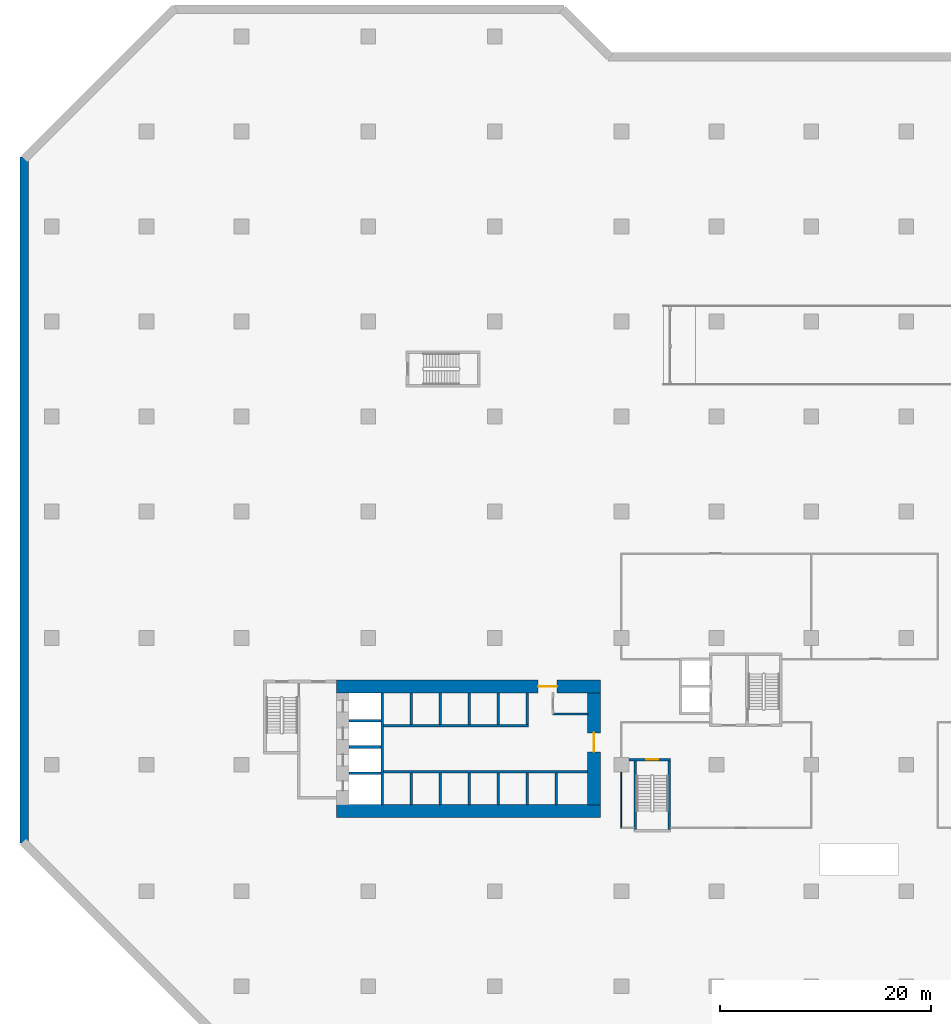
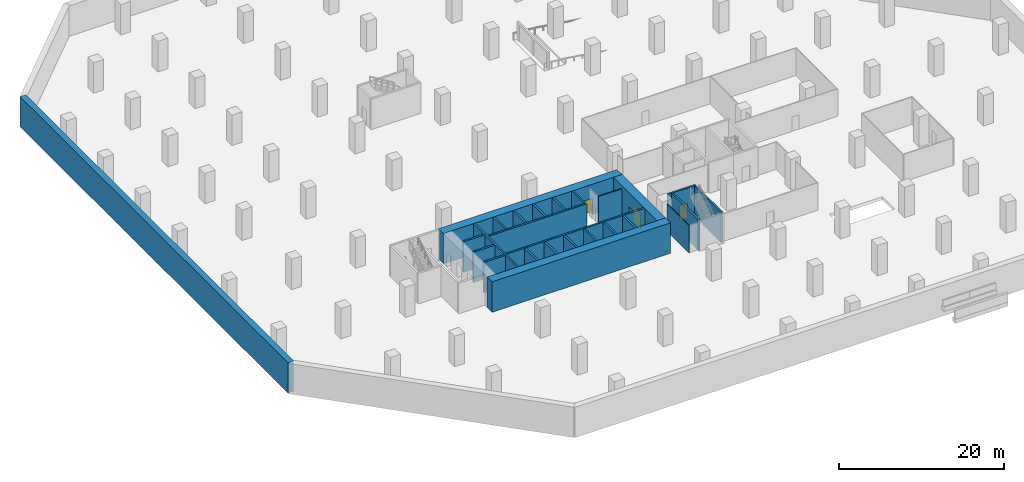
# One storey, part 3 of 9: 26 walls, 3 doors, 3 openings.
"""IFC4 building model written with IfcOpenShell, lengths in metres."""

from ifc_helpers import new_model, si_unit, direction, frame, frame_2d, origin, place, context, subcontext, project, spatial, rectangle, extrude, material, layer, layer_set, type_object, element, fill, save


model = new_model("IFC4")

# Units and contexts
model_context = context("Model", 3, precision=1e-05, world=origin(), true_north=direction((0.0, 1.0)))
body_context = subcontext(model_context, "Body", "Model", "MODEL_VIEW")
ifc_project = project(units=[si_unit("LENGTHUNIT", "METRE"), si_unit("AREAUNIT", "SQUARE_METRE"), si_unit("VOLUMEUNIT", "CUBIC_METRE"), si_unit("PLANEANGLEUNIT", "RADIAN"), si_unit("MASSUNIT", "GRAM", prefix="KILO")], contexts=[model_context])

# Site, building, storey
site_placement = place(None, origin())
site = spatial("IfcSite", under=ifc_project, at=site_placement, CompositionType="ELEMENT")
building_placement = place(site_placement, origin())
building = spatial("IfcBuilding", under=site, at=building_placement, Name="Chenar Terraces", CompositionType="ELEMENT")
storey_placement = place(building_placement, frame((0.0, 0.0, -4.5)))
storey = spatial("IfcBuildingStorey", under=building, at=storey_placement, Name="B1", CompositionType="ELEMENT", Elevation=-4.5)

# Walls
ifc_material_1 = material(Name="Gypsum board on steel studs", Category="steel")
ifc_layer_1 = layer(ifc_material_1, 0.14990234375)
ifc_layer_set_1 = layer_set([ifc_layer_1], Name="Gypsum board on steel studs")
wall_type_1 = type_object("IfcWallType", Name="Core partition 150 gypsum board", PredefinedType="PARTITIONING", material=ifc_layer_set_1)
wall_1_placement = place(storey_placement, frame((29.5, 16.800048828125, 0.0), z_axis=(0.0, 0.0, 1.0), x_axis=(1.0, 0.0, 0.0)))
element("IfcWall", 1, at=wall_1_placement, inside=storey, type_object=wall_type_1, Name="Core partition CP1 vestibule room south wall", PredefinedType="PARTITIONING", context=body_context, shape_type="SweptSolid", body=[
    extrude(rectangle(XDim=3.300048828125, YDim=0.14990234375, at=frame_2d((1.64990234375, 0.0))), origin(), (0.0, 0.0, 1.0), 4.050048828125),
])
ifc_material_2 = material(Name="Concrete C70/85", Category="concrete")
ifc_layer_2 = layer(ifc_material_2, 1.199951171875)
ifc_layer_set_2 = layer_set([ifc_layer_2], Name="Concrete C70/85")
wall_type_2 = type_object("IfcWallType", Name="Core wall 1200 Concrete C70/85", PredefinedType="SHEAR", material=ifc_layer_set_2)
wall_2_placement = place(storey_placement, frame((9.0, 7.60009765625, 0.0), z_axis=(0.0, 0.0, 1.0), x_axis=(1.0, 0.0, 0.0)))
element("IfcWall", 2, at=wall_2_placement, inside=storey, type_object=wall_type_2, Name="Core wall S B1", PredefinedType="SHEAR", context=body_context, shape_type="SweptSolid", body=[
    extrude(rectangle(XDim=25.0, YDim=1.199951171875, at=frame_2d((12.5, 0.0))), origin(), (0.0, 0.0, 1.0), 4.5),
])

# Wall, opening, door
wall_3_placement = place(storey_placement, frame((9.0, 19.39990234375, 0.0), z_axis=(0.0, 0.0, 1.0), x_axis=(1.0, 0.0, 0.0)))
wall_3 = element("IfcWall", 3, at=wall_3_placement, inside=storey, type_object=wall_type_2, Name="Core wall N B1", PredefinedType="SHEAR", context=body_context, shape_type="SweptSolid", body=[
    extrude(rectangle(XDim=25.0, YDim=1.199951171875, at=frame_2d((12.5, 0.0))), origin(), (0.0, 0.0, 1.0), 4.5),
])
opening_1_placement = place(wall_3_placement, frame((19.10009765625, 0.0, 0.0)))
opening_1 = element("IfcOpeningElement", 4, at=opening_1_placement, cuts=wall_3, Name="Opening DB1-C2", PredefinedType="OPENING", context=body_context, shape_type="SweptSolid", body=[
    extrude(rectangle(XDim=1.800048828125, YDim=2.39990234375, at=frame_2d((0.89990234375, 1.199951171875))), frame((0.0, 0.60986328125, 0.0), z_axis=(0.0, -1.0, 0.0), x_axis=(1.0, 0.0, 0.0)), (0.0, 0.0, 1.0), 1.219970703125),
])
ifc_material_3 = material(Name="Steel-framed fire-resisting door leaf", Category="steel")
door_type_1 = type_object("IfcDoorType", Name="Core entrance double fire door FD60 1800 x 2400", OperationType="DOUBLE_DOOR_SINGLE_SWING", PredefinedType="DOOR", material=ifc_material_3)
door_1_placement = place(opening_1_placement, origin())
door_1 = element("IfcDoor", 5, at=door_1_placement, inside=storey, type_object=door_type_1, Name="Core door DB1-C2", OperationType="DOUBLE_DOOR_SINGLE_SWING", OverallHeight=2.39990234375, OverallWidth=1.800048828125, PredefinedType="DOOR", context=body_context, shape_type="SweptSolid", body=[
    extrude(rectangle(XDim=1.800048828125, YDim=2.39990234375, at=frame_2d((0.89990234375, 1.199951171875))), frame((0.0, 0.02490234375, 0.0), z_axis=(0.0, -1.0, 0.0), x_axis=(1.0, 0.0, 0.0)), (0.0, 0.0, 1.0), 0.050048828125),
])
fill(opening_1, door_1)

wall_4_placement = place(storey_placement, frame((33.39990234375, 8.199951171875, 0.0), z_axis=(0.0, 0.0, 1.0), x_axis=(0.0, 1.0, 0.0)))
wall_4 = element("IfcWall", 6, at=wall_4_placement, inside=storey, type_object=wall_type_2, Name="Core wall E B1", PredefinedType="SHEAR", context=body_context, shape_type="SweptSolid", body=[
    extrude(rectangle(XDim=10.60009765625, YDim=1.199951171875, at=frame_2d((5.300048828125, 0.0))), origin(), (0.0, 0.0, 1.0), 4.5),
])
opening_2_placement = place(wall_4_placement, frame((5.0, 0.0, 0.0)))
opening_2 = element("IfcOpeningElement", 7, at=opening_2_placement, cuts=wall_4, Name="Opening DB1-C1", PredefinedType="OPENING", context=body_context, shape_type="SweptSolid", body=[
    extrude(rectangle(XDim=1.800048828125, YDim=2.39990234375, at=frame_2d((0.89990234375, 1.199951171875))), frame((0.0, 0.60986328125, 0.0), z_axis=(0.0, -1.0, 0.0), x_axis=(1.0, 0.0, 0.0)), (0.0, 0.0, 1.0), 1.219970703125),
])
door_2_placement = place(opening_2_placement, frame((1.800048828125, 0.0, 0.0), z_axis=(0.0, 0.0, 1.0), x_axis=(-1.0, 0.0, 0.0)))
door_2 = element("IfcDoor", 8, at=door_2_placement, inside=storey, type_object=door_type_1, Name="Core door DB1-C1", OperationType="DOUBLE_DOOR_SINGLE_SWING", OverallHeight=2.39990234375, OverallWidth=1.800048828125, PredefinedType="DOOR", context=body_context, shape_type="SweptSolid", body=[
    extrude(rectangle(XDim=1.800048828125, YDim=2.39990234375, at=frame_2d((0.89990234375, 1.199951171875))), frame((0.0, 0.02490234375, 0.0), z_axis=(0.0, -1.0, 0.0), x_axis=(1.0, 0.0, 0.0)), (0.0, 0.0, 1.0), 0.050048828125),
])
fill(opening_2, door_2)

# Walls
ifc_material_4 = material(Name="Concrete C70/85", Category="concrete")
ifc_layer_3 = layer(ifc_material_4, 0.25)
ifc_layer_set_3 = layer_set([ifc_layer_3], Name="Concrete C70/85")
wall_type_3 = type_object("IfcWallType", Name="Core wall 250 Concrete C70/85", PredefinedType="SHEAR", material=ifc_layer_set_3)
wall_5_placement = place(storey_placement, frame((13.324951171875, 8.199951171875, 0.0), z_axis=(0.0, 0.0, 1.0), x_axis=(0.0, 1.0, 0.0)))
element("IfcWall", 9, at=wall_5_placement, inside=storey, type_object=wall_type_3, Name="Core wall WI B1", PredefinedType="SHEAR", context=body_context, shape_type="SweptSolid", body=[
    extrude(rectangle(XDim=10.60009765625, YDim=0.25, at=frame_2d((5.300048828125, 0.0))), origin(), (0.0, 0.0, 1.0), 4.5),
])
wall_6_placement = place(storey_placement, frame((13.449951171875, 11.324951171875, 0.0), z_axis=(0.0, 0.0, 1.0), x_axis=(1.0, 0.0, 0.0)))
element("IfcWall", 10, at=wall_6_placement, inside=storey, type_object=wall_type_3, Name="Core wall SF B1", PredefinedType="SHEAR", context=body_context, shape_type="SweptSolid", body=[
    extrude(rectangle(XDim=19.35009765625, YDim=0.25, at=frame_2d((9.675048828125, 0.0))), origin(), (0.0, 0.0, 1.0), 4.5),
])
wall_7_placement = place(storey_placement, frame((13.449951171875, 15.675048828125, 0.0), z_axis=(0.0, 0.0, 1.0), x_axis=(1.0, 0.0, 0.0)))
element("IfcWall", 11, at=wall_7_placement, inside=storey, type_object=wall_type_3, Name="Core wall NF B1", PredefinedType="SHEAR", context=body_context, shape_type="SweptSolid", body=[
    extrude(rectangle(XDim=13.75, YDim=0.25, at=frame_2d((6.875, 0.0))), origin(), (0.0, 0.0, 1.0), 4.5),
])
for number, where, z_axis, x_axis, name in (
    (12, (10.199951171875, 11.175048828125, 0.0), (0.0, 0.0, 1.0), (1.0, 0.0, 0.0), "Core wall HW0 B1"),
    (13, (10.199951171875, 13.675048828125, 0.0), (0.0, 0.0, 1.0), (1.0, 0.0, 0.0), "Core wall HW1 B1"),
    (14, (10.199951171875, 16.175048828125, 0.0), (0.0, 0.0, 1.0), (1.0, 0.0, 0.0), "Core wall HW2 B1"),
    (15, (16.074951171875, 8.199951171875, 0.0), (0.0, 0.0, 1.0), (0.0, 1.0, 0.0), "Core wall SS0 B1"),
    (16, (18.824951171875, 8.199951171875, 0.0), (0.0, 0.0, 1.0), (0.0, 1.0, 0.0), "Core wall SS1 B1"),
    (17, (21.574951171875, 8.199951171875, 0.0), (0.0, 0.0, 1.0), (0.0, 1.0, 0.0), "Core wall SS2 B1"),
    (18, (24.324951171875, 8.199951171875, 0.0), (0.0, 0.0, 1.0), (0.0, 1.0, 0.0), "Core wall SS3 B1"),
    (19, (27.074951171875, 8.199951171875, 0.0), (0.0, 0.0, 1.0), (0.0, 1.0, 0.0), "Core wall SS4 B1"),
    (20, (29.824951171875, 8.199951171875, 0.0), (0.0, 0.0, 1.0), (0.0, 1.0, 0.0), "Core wall SS5 B1"),
    (21, (16.074951171875, 15.800048828125, 0.0), (0.0, 0.0, 1.0), (0.0, 1.0, 0.0), "Core wall NS0 B1"),
    (22, (18.824951171875, 15.800048828125, 0.0), (0.0, 0.0, 1.0), (0.0, 1.0, 0.0), "Core wall NS1 B1"),
    (23, (21.574951171875, 15.800048828125, 0.0), (0.0, 0.0, 1.0), (0.0, 1.0, 0.0), "Core wall NS2 B1"),
    (24, (24.324951171875, 15.800048828125, 0.0), (0.0, 0.0, 1.0), (0.0, 1.0, 0.0), "Core wall NS3 B1"),
    (25, (27.074951171875, 15.800048828125, 0.0), (0.0, 0.0, 1.0), (0.0, 1.0, 0.0), "Core wall NE B1"),
):
    element("IfcWall", number, at=place(storey_placement, frame(where, z_axis=z_axis, x_axis=x_axis)), inside=storey, type_object=wall_type_3, Name=name, PredefinedType="SHEAR", context=body_context, shape_type="SweptSolid", body=[
        extrude(rectangle(XDim=3.0, YDim=0.25, at=frame_2d((1.5, 0.0))), origin(), (0.0, 0.0, 1.0), 4.5),
    ])

# Wall, opening, door
wall_8_placement = place(storey_placement, frame((36.699951171875, 12.47509765625, 0.0), z_axis=(0.0, 0.0, 1.0), x_axis=(1.0, 0.0, 0.0)))
wall_8 = element("IfcWall", 26, at=wall_8_placement, inside=storey, type_object=wall_type_3, Name="Core wall ST2_N B1", PredefinedType="SHEAR", context=body_context, shape_type="SweptSolid", body=[
    extrude(rectangle(XDim=3.949951171875, YDim=0.25, at=frame_2d((1.97509765625, 0.0))), origin(), (0.0, 0.0, 1.0), 4.5),
])
opening_3_placement = place(wall_8_placement, frame((1.675048828125, 0.0, 0.0)))
opening_3 = element("IfcOpeningElement", 27, at=opening_3_placement, cuts=wall_8, Name="Opening DB1-C7", PredefinedType="OPENING", context=body_context, shape_type="SweptSolid", body=[
    extrude(rectangle(XDim=1.10009765625, YDim=2.199951171875, at=frame_2d((0.550048828125, 1.10009765625))), frame((0.0, 0.135009765625, 0.0), z_axis=(0.0, -1.0, 0.0), x_axis=(1.0, 0.0, 0.0)), (0.0, 0.0, 1.0), 0.27001953125),
])
ifc_material_5 = material(Name="Steel-framed fire-resisting door leaf", Category="steel")
door_type_2 = type_object("IfcDoorType", Name="Stair fire door FD60 1100 x 2200", OperationType="SINGLE_SWING_LEFT", PredefinedType="DOOR", material=ifc_material_5)
door_3_placement = place(opening_3_placement, frame((1.10009765625, 0.0, 0.0), z_axis=(0.0, 0.0, 1.0), x_axis=(-1.0, 0.0, 0.0)))
door_3 = element("IfcDoor", 28, at=door_3_placement, inside=storey, type_object=door_type_2, Name="Stair door DB1-C7", OperationType="SINGLE_SWING_LEFT", OverallHeight=2.199951171875, OverallWidth=1.10009765625, PredefinedType="DOOR", context=body_context, shape_type="SweptSolid", body=[
    extrude(rectangle(XDim=1.10009765625, YDim=2.199951171875, at=frame_2d((0.550048828125, 1.10009765625))), frame((0.0, 0.02490234375, 0.0), z_axis=(0.0, -1.0, 0.0), x_axis=(1.0, 0.0, 0.0)), (0.0, 0.0, 1.0), 0.050048828125),
])
fill(opening_3, door_3)

# Walls
for number, where, z_axis, x_axis, name in (
    (29, (37.324951171875, 5.85009765625, 0.0), (0.0, 0.0, 1.0), (0.0, 1.0, 0.0), "Core wall ST2_W B1"),
    (30, (40.52490234375, 5.85009765625, 0.0), (0.0, 0.0, 1.0), (0.0, 1.0, 0.0), "Core wall ST2_E B1"),
):
    element("IfcWall", number, at=place(storey_placement, frame(where, z_axis=z_axis, x_axis=x_axis)), inside=storey, type_object=wall_type_3, Name=name, PredefinedType="SHEAR", context=body_context, shape_type="SweptSolid", body=[
        extrude(rectangle(XDim=6.5, YDim=0.25, at=frame_2d((3.25, 0.0))), origin(), (0.0, 0.0, 1.0), 4.5),
    ])
ifc_material_6 = material(Name="Concrete C40/50", Category="concrete")
ifc_layer_4 = layer(ifc_material_6, 0.800048828125)
ifc_layer_set_4 = layer_set([ifc_layer_4], Name="Concrete C40/50")
wall_type_4 = type_object("IfcWallType", Name="Diaphragm wall 800 Concrete C40/50", PredefinedType="SOLIDWALL", material=ifc_layer_set_4)
wall_9_placement = place(storey_placement, frame((-20.60009765625, 69.5771484375, 0.0), z_axis=(0.0, 0.0, 1.0), x_axis=(0.0, -1.0, 0.0)))
element("IfcWall", 31, at=wall_9_placement, inside=storey, type_object=wall_type_4, Name="Diaphragm wall B1 4", PredefinedType="SOLIDWALL", context=body_context, shape_type="SweptSolid", body=[
    extrude(rectangle(XDim=64.98876953125, YDim=0.800048828125, at=frame_2d((32.494384765625, 0.0))), origin(), (0.0, 0.0, 1.0), 4.5),
])
ifc_material_7 = material(Name="Gypsum board on steel studs", Category="steel")
ifc_layer_5 = layer(ifc_material_7, 0.10009765625)
ifc_layer_set_5 = layer_set([ifc_layer_5], Name="Gypsum board on steel studs")
wall_type_5 = type_object("IfcWallType", Name="Gypsum partition 100", PredefinedType="PARTITIONING", material=ifc_layer_set_5)
wall_10_placement = place(storey_placement, frame((36.0, 5.949951171875, 0.0), z_axis=(0.0, 0.0, 1.0), x_axis=(0.0, 1.0, 0.0)))
element("IfcWall", 32, at=wall_10_placement, inside=storey, type_object=wall_type_5, Name="Partition B1-004", PredefinedType="PARTITIONING", context=body_context, shape_type="SweptSolid", body=[
    extrude(rectangle(XDim=5.35107421875, YDim=0.10009765625, at=frame_2d((2.675537109375, 0.0))), origin(), (0.0, 0.0, 1.0), 4.050048828125),
])

save(model, "model.ifc")
